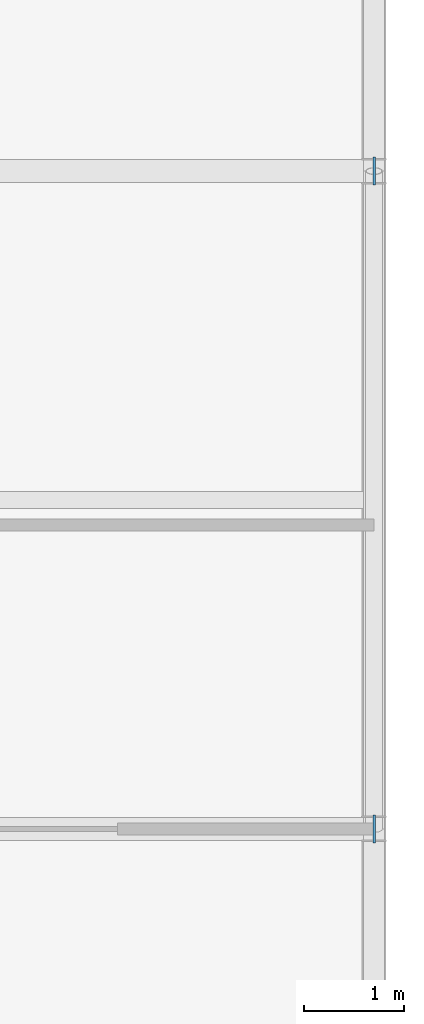
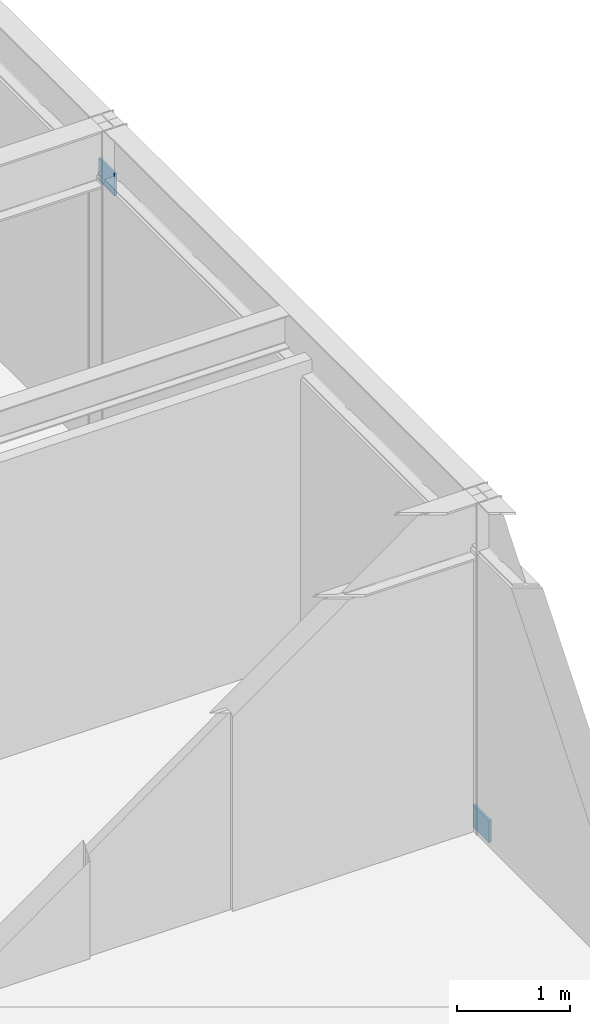
# One storey, part 14 of 17: 2 plates.
"""IFC4 building model written with IfcOpenShell, lengths in metres."""

from ifc_helpers import new_model, si_unit, direction, frame, origin, origin_2d, place, context, subcontext, project, spatial, rectangle, extrude, material, layer, layer_set, type_object, element, save


model = new_model("IFC4")

# Units and contexts
model_context = context("Model", 3, precision=1e-05, world=origin(), true_north=direction((0.0, 1.0)))
body_context = subcontext(model_context, "Body", "Model", "MODEL_VIEW")
ifc_project = project(units=[si_unit("LENGTHUNIT", "METRE"), si_unit("AREAUNIT", "SQUARE_METRE"), si_unit("VOLUMEUNIT", "CUBIC_METRE"), si_unit("PLANEANGLEUNIT", "RADIAN"), si_unit("MASSUNIT", "GRAM", prefix="KILO")], contexts=[model_context])

# Site, building, storey
site_placement = place(None, origin())
site = spatial("IfcSite", under=ifc_project, at=site_placement, CompositionType="ELEMENT")
building_placement = place(site_placement, origin())
building = spatial("IfcBuilding", under=site, at=building_placement, Name="Karori Crest Natural Sciences Institute", CompositionType="ELEMENT")
storey_placement = place(building_placement, frame((0.0, 0.0, 38.14990234375)))
storey = spatial("IfcBuildingStorey", under=building, at=storey_placement, Name="L09", CompositionType="ELEMENT", Elevation=38.14990234375)

# Plates
ifc_material = material(Name="Structural steel AS/NZS 3679.1 Grade 350", Category="steel")
ifc_layer = layer(ifc_material, 0.02490234375, Name="Structural steel AS/NZS 3679.1 Grade 350")
ifc_layer_set = layer_set([ifc_layer], Name="Structural steel AS/NZS 3679.1 Grade 350")
plate_type = type_object("IfcPlateType", Name="PLT-06-EL", PredefinedType="SHEET", material=ifc_layer_set)
for number, where, z_axis, x_axis, name in (
    (1, (149.800048828125, 7.39990234375, -0.10986328125), (0.0, 0.0, 1.0), (0.0, 1.0, 0.0), "Brace gusset plate EP-0426"),
    (2, (149.800048828125, 14.0, 2.84814453125), (0.0, 0.0, 1.0), (0.0, 1.0, 0.0), "Brace gusset plate EP-0427"),
):
    element("IfcPlate", number, at=place(storey_placement, frame(where, z_axis=z_axis, x_axis=x_axis)), inside=storey, type_object=plate_type, Name=name, PredefinedType="SHEET", context=body_context, shape_type="SweptSolid", body=[
        extrude(rectangle(XDim=0.280029296875, YDim=0.02490234375, at=origin_2d()), origin(), (0.0, 0.0, 1.0), 0.239990234375),
    ])

save(model, "model.ifc")
